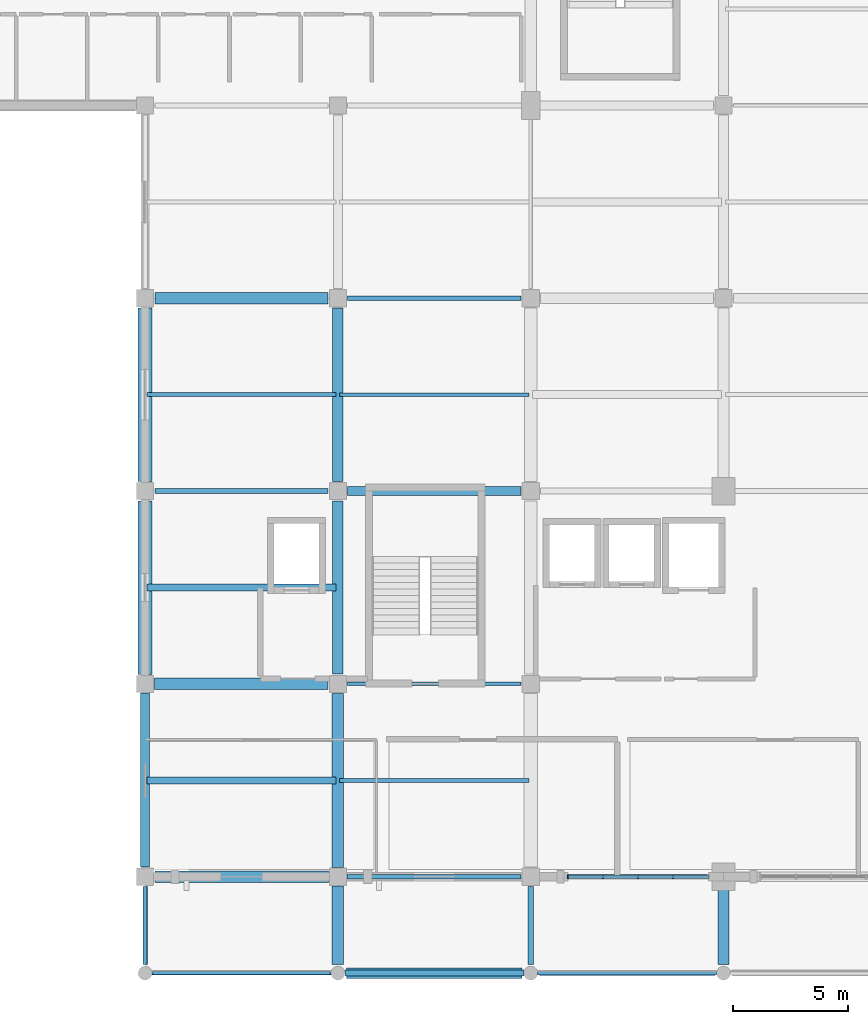
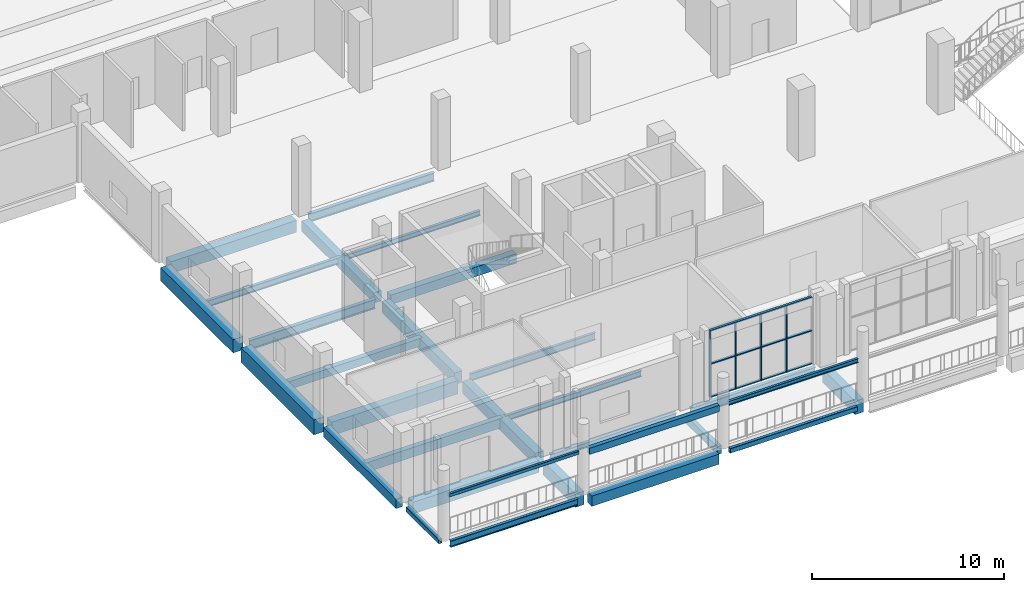
# One storey, part 15 of 75: 30 beams, 7 members, 1 element without a shape of its own.
"""IFC4 building model written with IfcOpenShell, lengths in metres."""

import ifcopenshell
import ifcopenshell.guid

model = None  # the IFC model being written
_history = None  # IfcOwnerHistory: only IFC2X3 demands one
_inside = {}  # id of a spatial element -> (the spatial element, [elements in it])
_under = {}  # id of a project, library or spatial element -> (it, [spatial elements below it])
_declared = {}  # id of a project -> (the project, [libraries it declares])
_typed = {}  # id of a type object -> (the type object, [elements of that type])
_made_of = {}  # id of a material, layer set ... -> (it, [elements and type objects made of it])


def new_model(schema):
    """Start an empty IFC model of exactly this schema.

    Asked for "IFC4X3", IfcOpenShell would pick the latest addendum, in which some entities
    have other attributes; the version numbers below select the first issue.
    IFC2X3 requires an IfcOwnerHistory on every rooted entity: one is made here for all.
    """
    global model, _history
    if schema == "IFC4X3":
        model = ifcopenshell.file(schema_version=(4, 3, 0, 0))
    else:
        model = ifcopenshell.file(schema=schema)
    _inside.clear()
    _under.clear()
    _declared.clear()
    _typed.clear()
    _made_of.clear()
    _history = None
    if model.schema == "IFC2X3":
        org = make("IfcOrganization", Name="unknown")
        user = make(
            "IfcPersonAndOrganization",
            ThePerson=make("IfcPerson", FamilyName="unknown"),
            TheOrganization=org,
        )
        app = make(
            "IfcApplication",
            ApplicationDeveloper=org,
            Version="unknown",
            ApplicationFullName="unknown",
            ApplicationIdentifier="unknown",
        )
        _history = make(
            "IfcOwnerHistory",
            OwningUser=user,
            OwningApplication=app,
            ChangeAction="ADDED",
            CreationDate=0,
        )
    return model


def make(cls, **values):
    """One entity of the class cls with the attributes given. An attribute that is None is left unset."""
    return model.create_entity(
        cls, **{name: value for name, value in values.items() if value is not None}
    )


def rooted(cls, **values):
    """An entity with a GlobalId (a new one), such as an element, a storey or a relation."""
    return make(cls, GlobalId=ifcopenshell.guid.new(), OwnerHistory=_history, **values)


def si_unit(unit_type, name, prefix=None):
    """IfcSIUnit, for example si_unit("LENGTHUNIT", "METRE", prefix="MILLI")."""
    return make("IfcSIUnit", UnitType=unit_type, Prefix=prefix, Name=name)


def derived_unit(unit_type, elements):
    """IfcDerivedUnit: a product of units, each with its exponent."""
    return make(
        "IfcDerivedUnit",
        Elements=[
            make("IfcDerivedUnitElement", Unit=unit, Exponent=power)
            for unit, power in elements
        ],
        UnitType=unit_type,
    )


def assignment(units):
    """IfcUnitAssignment: the units of a project."""
    return None if units is None else make("IfcUnitAssignment", Units=units)


def point(xyz):
    """IfcCartesianPoint."""
    return None if xyz is None else make("IfcCartesianPoint", Coordinates=xyz)


def direction(xyz):
    """IfcDirection."""
    return None if xyz is None else make("IfcDirection", DirectionRatios=xyz)


def frame(location, z_axis=None, x_axis=None):
    """IfcAxis2Placement3D, a coordinate frame: its origin and axes. An axis left out is left unset."""
    return make(
        "IfcAxis2Placement3D",
        Location=point(location),
        Axis=direction(z_axis),
        RefDirection=direction(x_axis),
    )


def frame_2d(location, x_axis=None):
    """IfcAxis2Placement2D, a coordinate frame in the plane: its origin and x axis."""
    return make(
        "IfcAxis2Placement2D", Location=point(location), RefDirection=direction(x_axis)
    )


def origin():
    """The frame at (0, 0, 0) with its axes left unset."""
    return frame((0.0, 0.0, 0.0))


def origin_2d():
    """The frame at (0, 0) in the plane with its x axis left unset."""
    return frame_2d((0.0, 0.0))


def place(relative_to, where):
    """IfcLocalPlacement: puts the frame where relative to a parent placement (None: the world)."""
    return make(
        "IfcLocalPlacement", PlacementRelTo=relative_to, RelativePlacement=where
    )


def context(
    kind, dimensions, precision=None, world=None, true_north=None, identifier=None
):
    """IfcGeometricRepresentationContext, for example the 3D "Model" context."""
    return make(
        "IfcGeometricRepresentationContext",
        ContextIdentifier=identifier,
        ContextType=kind,
        CoordinateSpaceDimension=dimensions,
        Precision=precision,
        WorldCoordinateSystem=world,
        TrueNorth=true_north,
    )


def subcontext(parent, identifier, kind, view, scale=None):
    """IfcGeometricRepresentationSubContext, for example "Body" below "Model"."""
    return make(
        "IfcGeometricRepresentationSubContext",
        ContextIdentifier=identifier,
        ContextType=kind,
        ParentContext=parent,
        TargetScale=scale,
        TargetView=view,
    )


def project(units=None, contexts=None):
    """IfcProject with its units and contexts."""
    return rooted(
        "IfcProject",
        Name="project",
        RepresentationContexts=contexts,
        UnitsInContext=assignment(units),
    )


def spatial(cls, under=None, at=None, **own):
    """A site, building, storey or space (cls), placed at a placement, below another one or the project."""
    s = rooted(cls, ObjectPlacement=at, **own)
    if under is not None:
        _under.setdefault(under.id(), (under, []))[1].append(s)
    return s


def profile(cls, at=None, kind="AREA", **sizes):
    """A parametric profile (cls). Its sizes go by their IFC names, for example OverallWidth=200.0."""
    return make(cls, ProfileType=kind, Position=at, **sizes)


def rectangle(**sizes):
    """IfcRectangleProfileDef."""
    return profile("IfcRectangleProfileDef", **sizes)


def hollow_rectangle(**sizes):
    """IfcRectangleHollowProfileDef."""
    return profile("IfcRectangleHollowProfileDef", **sizes)


def i_section(**sizes):
    """IfcIShapeProfileDef."""
    return profile("IfcIShapeProfileDef", **sizes)


def extrude(swept, where, along, depth):
    """IfcExtrudedAreaSolid: the profile swept, set in the frame where, extruded along a direction by depth."""
    return make(
        "IfcExtrudedAreaSolid",
        SweptArea=swept,
        Position=where,
        ExtrudedDirection=direction(along),
        Depth=depth,
    )


def shape(context_of_items, identifier, shape_type, items):
    """IfcShapeRepresentation: the items that make up one representation, for example the "Body"."""
    return make(
        "IfcShapeRepresentation",
        ContextOfItems=context_of_items,
        RepresentationIdentifier=identifier,
        RepresentationType=shape_type,
        Items=items,
    )


def material(Name=None, Category=None):
    """IfcMaterial."""
    return make("IfcMaterial", Name=Name, Category=Category)


def material_profile(
    of_material, cross_section, Name=None, Category=None, Priority=None
):
    """IfcMaterialProfile: a cross section and its material."""
    return make(
        "IfcMaterialProfile",
        Name=Name,
        Material=of_material,
        Profile=cross_section,
        Priority=Priority,
        Category=Category,
    )


def profile_set(profiles, Name=None, composite=None):
    """IfcMaterialProfileSet."""
    return make(
        "IfcMaterialProfileSet",
        Name=Name,
        MaterialProfiles=profiles,
        CompositeProfile=composite,
    )


def made_of(thing, what):
    """Note that an element or type object is made of a material, layer set ...; save() writes the relation."""
    if what is not None:
        _made_of.setdefault(what.id(), (what, []))[1].append(thing)
    return thing


def type_object(cls, material=None, **own):
    """A type object (cls), such as IfcWallType, which elements share."""
    return made_of(rooted(cls, **own), material)


def element(
    cls,
    number,
    at=None,
    inside=None,
    cuts=None,
    type_object=None,
    material=None,
    context=None,
    identifier="Body",
    shape_type=None,
    held_by="IfcProductDefinitionShape",
    body=None,
    shapes=None,
    **own,
):
    """One element of the class cls, such as IfcWall. Its Tag is "e" and its number.

    at: its placement. inside: the storey or other place that contains it. cuts: it is an
    opening in that element (IfcRelVoidsElement). A single representation is given by context,
    identifier, shape_type and body (its items); several are given by shapes. held_by: the class
    of the entity that holds the representations. save() writes the other relations.
    """
    e = rooted(cls, Tag="e%d" % number, ObjectPlacement=at, **own)
    if body is not None:
        shapes = [shape(context, identifier, shape_type, body)]
    if shapes is not None:
        e.Representation = make(held_by, Representations=shapes)
    if inside is not None:
        _inside.setdefault(inside.id(), (inside, []))[1].append(e)
    if cuts is not None:
        rooted(
            "IfcRelVoidsElement", RelatingBuildingElement=cuts, RelatedOpeningElement=e
        )
    if type_object is not None:
        _typed.setdefault(type_object.id(), (type_object, []))[1].append(e)
    return made_of(e, material)


def aggregate(whole, parts):
    """IfcRelAggregates: a whole, such as a stair, and the parts it consists of."""
    return rooted("IfcRelAggregates", RelatingObject=whole, RelatedObjects=parts)


def save(model, path):
    """Write the relations noted so far, then the file.

    IfcRelAggregates (storeys below a building ...), IfcRelContainedInSpatialStructure (elements
    in a storey), IfcRelDefinesByType, IfcRelAssociatesMaterial and IfcRelDeclares: one each for
    every whole, place, type object, material and project.
    """
    for whole, parts in _under.values():
        aggregate(whole, parts)
    for where, things in _inside.values():
        rooted(
            "IfcRelContainedInSpatialStructure",
            RelatedElements=things,
            RelatingStructure=where,
        )
    for kind, things in _typed.values():
        rooted("IfcRelDefinesByType", RelatedObjects=things, RelatingType=kind)
    for what, things in _made_of.values():
        rooted("IfcRelAssociatesMaterial", RelatedObjects=things, RelatingMaterial=what)
    for by, libraries in _declared.values():
        rooted("IfcRelDeclares", RelatingContext=by, RelatedDefinitions=libraries)
    model.write(path)


model = new_model("IFC4")

# Units and contexts
model_context = context("Model", 3, precision=1e-05, world=origin(), true_north=direction((0.0, 1.0)))
body_context = subcontext(model_context, "Body", "Model", "MODEL_VIEW")
ifc_project = project(units=[si_unit("LENGTHUNIT", "METRE"), si_unit("AREAUNIT", "SQUARE_METRE"), si_unit("VOLUMEUNIT", "CUBIC_METRE"), si_unit("PLANEANGLEUNIT", "RADIAN"), si_unit("MASSUNIT", "GRAM", prefix="KILO"), derived_unit("THERMALTRANSMITTANCEUNIT", [(si_unit("POWERUNIT", "WATT"), 1), (si_unit("LENGTHUNIT", "METRE"), -2), (si_unit("THERMODYNAMICTEMPERATUREUNIT", "KELVIN"), -1)])], contexts=[model_context])

# Site, building, storey
site_placement = place(None, origin())
site = spatial("IfcSite", under=ifc_project, at=site_placement, CompositionType="ELEMENT")
building_placement = place(site_placement, origin())
building = spatial("IfcBuilding", under=site, at=building_placement, Name="Barrovel Congress Hotel", CompositionType="ELEMENT")
storey_placement = place(building_placement, frame((0.0, 0.0, 5.39990234375)))
storey = spatial("IfcBuildingStorey", under=building, at=storey_placement, Name="L01", CompositionType="ELEMENT", Elevation=5.39990234375)

# Beams
ifc_material_1 = material(Name="Concrete C40", Category="concrete")
ifc_material_profile_1 = material_profile(ifc_material_1, rectangle(XDim=0.25, YDim=0.39990234375, at=origin_2d()), Name="RC250x400")
ifc_profile_set_1 = profile_set([ifc_material_profile_1], Name="Concrete C40")
beam_type_1 = type_object("IfcBeamType", Name="BM-RC250x400", PredefinedType="LINTEL", material=ifc_profile_set_1)
beam_1_placement = place(storey_placement, frame((25.5, 0.0, 2.550048828125), z_axis=(1.0, 0.0, 0.0), x_axis=(0.0, 1.0, 0.0)))
element("IfcBeam", 1, at=beam_1_placement, inside=storey, type_object=beam_type_1, Name="LIN:L01:25.2-33.6", PredefinedType="LINTEL", context=body_context, shape_type="SweptSolid", body=[
    extrude(rectangle(XDim=0.25, YDim=0.39990234375, at=origin_2d()), origin(), (0.0, 0.0, 1.0), 7.800048828125),
])
ifc_material_profile_2 = material_profile(ifc_material_1, rectangle(XDim=0.25, YDim=0.5, at=origin_2d()), Name="RC250x500")
ifc_profile_set_2 = profile_set([ifc_material_profile_2], Name="Concrete C40")
beam_type_2 = type_object("IfcBeamType", Name="BM-RC250x500", PredefinedType="SPANDREL", material=ifc_profile_set_2)
beam_2_placement = place(storey_placement, frame((33.60009765625, 0.375, -0.510009765625), z_axis=(0.0, 1.0, 0.0), x_axis=(-1.0, 0.0, 0.0)))
element("IfcBeam", 2, at=beam_2_placement, inside=storey, type_object=beam_type_2, Name="BMY:L01:33.6:0.0-4.2", PredefinedType="SPANDREL", context=body_context, shape_type="SweptSolid", body=[
    extrude(rectangle(XDim=0.25, YDim=0.5, at=origin_2d()), origin(), (0.0, 0.0, 1.0), 3.39990234375),
])
ifc_material_profile_3 = material_profile(ifc_material_1, rectangle(XDim=0.300048828125, YDim=0.5, at=origin_2d()), Name="RC300x500")
ifc_profile_set_3 = profile_set([ifc_material_profile_3], Name="Concrete C40")
beam_type_3 = type_object("IfcBeamType", Name="BM-RC300x500", PredefinedType="JOIST", material=ifc_profile_set_3)
beam_3_placement = place(storey_placement, frame((16.8798828125, 16.800048828125, -0.510009765625), z_axis=(1.0, 0.0, 0.0), x_axis=(0.0, 1.0, 0.0)))
element("IfcBeam", 3, at=beam_3_placement, inside=storey, type_object=beam_type_3, Name="JST:L01:16.8:16.8", PredefinedType="JOIST", context=body_context, shape_type="SweptSolid", body=[
    extrude(rectangle(XDim=0.300048828125, YDim=0.5, at=origin_2d()), origin(), (0.0, 0.0, 1.0), 8.240234375),
])
ifc_material_profile_4 = material_profile(ifc_material_1, rectangle(XDim=0.300048828125, YDim=0.60009765625, at=origin_2d()), Name="RC300x600")
ifc_profile_set_4 = profile_set([ifc_material_profile_4], Name="Concrete C40")
beam_type_4 = type_object("IfcBeamType", Name="BM-RC300x600", PredefinedType="JOIST", material=ifc_profile_set_4)
beam_4_placement = place(storey_placement, frame((16.8798828125, 8.39990234375, -0.559814453125), z_axis=(1.0, 0.0, 0.0), x_axis=(0.0, 1.0, 0.0)))
element("IfcBeam", 4, at=beam_4_placement, inside=storey, type_object=beam_type_4, Name="JST:L01:16.8:8.4", PredefinedType="JOIST", context=body_context, shape_type="SweptSolid", body=[
    extrude(rectangle(XDim=0.300048828125, YDim=0.60009765625, at=origin_2d()), origin(), (0.0, 0.0, 1.0), 8.240234375),
])
ifc_material_profile_5 = material_profile(ifc_material_1, rectangle(XDim=0.39990234375, YDim=0.60009765625, at=origin_2d()), Name="RC400x600")
ifc_profile_set_5 = profile_set([ifc_material_profile_5], Name="Concrete C40")
beam_type_5 = type_object("IfcBeamType", Name="BM-RC400x600", PredefinedType="BEAM", material=ifc_profile_set_5)
beam_5_placement = place(storey_placement, frame((25.625, 21.0, -0.559814453125), z_axis=(1.0, 0.0, 0.0), x_axis=(0.0, 1.0, 0.0)))
element("IfcBeam", 5, at=beam_5_placement, inside=storey, type_object=beam_type_5, Name="BMX:L01:21.0:25.2-33.6", PredefinedType="BEAM", context=body_context, shape_type="SweptSolid", body=[
    extrude(rectangle(XDim=0.39990234375, YDim=0.60009765625, at=origin_2d()), origin(), (0.0, 0.0, 1.0), 7.550048828125),
])
beam_6_placement = place(storey_placement, frame((16.800048828125, 4.625, -0.559814453125), z_axis=(0.0, 1.0, 0.0), x_axis=(-1.0, 0.0, 0.0)))
element("IfcBeam", 6, at=beam_6_placement, inside=storey, type_object=beam_type_5, Name="BMY:L01:16.8:4.2-12.6", PredefinedType="BEAM", context=body_context, shape_type="SweptSolid", body=[
    extrude(rectangle(XDim=0.39990234375, YDim=0.60009765625, at=origin_2d()), origin(), (0.0, 0.0, 1.0), 7.574951171875),
])
ifc_material_profile_6 = material_profile(ifc_material_1, rectangle(XDim=0.449951171875, YDim=0.64990234375, at=origin_2d()), Name="RC450x650")
ifc_profile_set_6 = profile_set([ifc_material_profile_6], Name="Concrete C40")
beam_type_6 = type_object("IfcBeamType", Name="BM-RC450x650", PredefinedType="BEAM", material=ifc_profile_set_6)
beam_7_placement = place(storey_placement, frame((25.574951171875, 0.0, -0.5849609375), z_axis=(1.0, 0.0, 0.0), x_axis=(0.0, 1.0, 0.0)))
element("IfcBeam", 7, at=beam_7_placement, inside=storey, type_object=beam_type_6, Name="BMX:L01:0.0:25.2-33.6", PredefinedType="BEAM", context=body_context, shape_type="SweptSolid", body=[
    extrude(rectangle(XDim=0.449951171875, YDim=0.64990234375, at=origin_2d()), origin(), (0.0, 0.0, 1.0), 7.650146484375),
])
beam_8_placement = place(storey_placement, frame((25.199951171875, 21.425048828125, -0.5849609375), z_axis=(0.0, 1.0, 0.0), x_axis=(-1.0, 0.0, 0.0)))
element("IfcBeam", 8, at=beam_8_placement, inside=storey, type_object=beam_type_6, Name="BMY:L01:25.2:21.0-29.4", PredefinedType="BEAM", context=body_context, shape_type="SweptSolid", body=[
    extrude(rectangle(XDim=0.449951171875, YDim=0.64990234375, at=origin_2d()), origin(), (0.0, 0.0, 1.0), 7.550048828125),
])
ifc_material_profile_7 = material_profile(ifc_material_1, rectangle(XDim=0.449951171875, YDim=0.75, at=origin_2d()), Name="RC450x750")
ifc_profile_set_7 = profile_set([ifc_material_profile_7], Name="Concrete C40")
beam_type_7 = type_object("IfcBeamType", Name="BM-RC450x750", PredefinedType="BEAM", material=ifc_profile_set_7)
beam_9_placement = place(storey_placement, frame((25.199951171875, 13.02490234375, -0.635009765625), z_axis=(0.0, 1.0, 0.0), x_axis=(-1.0, 0.0, 0.0)))
element("IfcBeam", 9, at=beam_9_placement, inside=storey, type_object=beam_type_7, Name="BMY:L01:25.2:12.6-21.0", PredefinedType="BEAM", context=body_context, shape_type="SweptSolid", body=[
    extrude(rectangle(XDim=0.449951171875, YDim=0.75, at=origin_2d()), origin(), (0.0, 0.0, 1.0), 7.550048828125),
])
ifc_material_profile_8 = material_profile(ifc_material_1, rectangle(XDim=0.5, YDim=0.75, at=origin_2d()), Name="RC500x750")
ifc_profile_set_8 = profile_set([ifc_material_profile_8], Name="Concrete C40")
beam_type_8 = type_object("IfcBeamType", Name="BM-RC500x750", PredefinedType="BEAM", material=ifc_profile_set_8)
beam_10_placement = place(storey_placement, frame((17.22509765625, 4.199951171875, -0.635009765625), z_axis=(1.0, 0.0, 0.0), x_axis=(0.0, 1.0, 0.0)))
element("IfcBeam", 10, at=beam_10_placement, inside=storey, type_object=beam_type_8, Name="BMX:L01:4.2:16.8-25.2", PredefinedType="BEAM", context=body_context, shape_type="SweptSolid", body=[
    extrude(rectangle(XDim=0.5, YDim=0.75, at=origin_2d()), origin(), (0.0, 0.0, 1.0), 7.574951171875),
])
beam_11_placement = place(storey_placement, frame((17.22509765625, 29.39990234375, -0.635009765625), z_axis=(1.0, 0.0, 0.0), x_axis=(0.0, 1.0, 0.0)))
element("IfcBeam", 11, at=beam_11_placement, inside=storey, type_object=beam_type_8, Name="BMX:L01:29.4:16.8-25.2", PredefinedType="BEAM", context=body_context, shape_type="SweptSolid", body=[
    extrude(rectangle(XDim=0.5, YDim=0.75, at=origin_2d()), origin(), (0.0, 0.0, 1.0), 7.5498046875),
])
beam_12_placement = place(storey_placement, frame((25.199951171875, 4.60009765625, -0.635009765625), z_axis=(0.0, 1.0, 0.0), x_axis=(-1.0, 0.0, 0.0)))
element("IfcBeam", 12, at=beam_12_placement, inside=storey, type_object=beam_type_8, Name="BMY:L01:25.2:4.2-12.6", PredefinedType="BEAM", context=body_context, shape_type="SweptSolid", body=[
    extrude(rectangle(XDim=0.5, YDim=0.75, at=origin_2d()), origin(), (0.0, 0.0, 1.0), 7.574951171875),
])
ifc_material_profile_9 = material_profile(ifc_material_1, rectangle(XDim=0.5, YDim=0.85009765625, at=origin_2d()), Name="RC500x850")
ifc_profile_set_9 = profile_set([ifc_material_profile_9], Name="Concrete C40")
beam_type_9 = type_object("IfcBeamType", Name="BM-RC500x850", PredefinedType="BEAM", material=ifc_profile_set_9)
beam_13_placement = place(storey_placement, frame((17.199951171875, 12.60009765625, -0.684814453125), z_axis=(1.0, 0.0, 0.0), x_axis=(0.0, 1.0, 0.0)))
element("IfcBeam", 13, at=beam_13_placement, inside=storey, type_object=beam_type_9, Name="BMX:L01:12.6:16.8-25.2", PredefinedType="BEAM", context=body_context, shape_type="SweptSolid", body=[
    extrude(rectangle(XDim=0.5, YDim=0.85009765625, at=origin_2d()), origin(), (0.0, 0.0, 1.0), 7.574951171875),
])
beam_14_placement = place(storey_placement, frame((25.199951171875, 0.375, -0.684814453125), z_axis=(0.0, 1.0, 0.0), x_axis=(-1.0, 0.0, 0.0)))
element("IfcBeam", 14, at=beam_14_placement, inside=storey, type_object=beam_type_9, Name="BMY:L01:25.2:0.0-4.2", PredefinedType="BEAM", context=body_context, shape_type="SweptSolid", body=[
    extrude(rectangle(XDim=0.5, YDim=0.85009765625, at=origin_2d()), origin(), (0.0, 0.0, 1.0), 3.425048828125),
])
beam_15_placement = place(storey_placement, frame((42.0, 0.375, -0.684814453125), z_axis=(0.0, 1.0, 0.0), x_axis=(-1.0, 0.0, 0.0)))
element("IfcBeam", 15, at=beam_15_placement, inside=storey, type_object=beam_type_9, Name="BMY:L01:42.0:0.0-4.2", PredefinedType="BEAM", context=body_context, shape_type="SweptSolid", body=[
    extrude(rectangle(XDim=0.5, YDim=0.85009765625, at=origin_2d()), origin(), (0.0, 0.0, 1.0), 3.375),
])
ifc_material_profile_10 = material_profile(ifc_material_1, rectangle(XDim=0.60009765625, YDim=0.85009765625, at=origin_2d()), Name="RC600x850")
ifc_profile_set_10 = profile_set([ifc_material_profile_10], Name="Concrete C40")
beam_type_10 = type_object("IfcBeamType", Name="BM-RC600x850", PredefinedType="BEAM", material=ifc_profile_set_10)
beam_16_placement = place(storey_placement, frame((16.800048828125, 21.425048828125, -0.684814453125), z_axis=(0.0, 1.0, 0.0), x_axis=(-1.0, 0.0, 0.0)))
element("IfcBeam", 16, at=beam_16_placement, inside=storey, type_object=beam_type_10, Name="BMY:L01:16.8:21.0-29.4", PredefinedType="BEAM", context=body_context, shape_type="SweptSolid", body=[
    extrude(rectangle(XDim=0.60009765625, YDim=0.85009765625, at=origin_2d()), origin(), (0.0, 0.0, 1.0), 7.550048828125),
])
ifc_material_profile_11 = material_profile(ifc_material_1, rectangle(XDim=0.60009765625, YDim=0.949951171875, at=origin_2d()), Name="RC600x950")
ifc_profile_set_11 = profile_set([ifc_material_profile_11], Name="Concrete C40")
beam_type_11 = type_object("IfcBeamType", Name="BM-RC600x950", PredefinedType="BEAM", material=ifc_profile_set_11)
beam_17_placement = place(storey_placement, frame((16.800048828125, 13.0, -0.73486328125), z_axis=(0.0, 1.0, 0.0), x_axis=(-1.0, 0.0, 0.0)))
element("IfcBeam", 17, at=beam_17_placement, inside=storey, type_object=beam_type_11, Name="BMY:L01:16.8:12.6-21.0", PredefinedType="BEAM", context=body_context, shape_type="SweptSolid", body=[
    extrude(rectangle(XDim=0.60009765625, YDim=0.949951171875, at=origin_2d()), origin(), (0.0, 0.0, 1.0), 7.574951171875),
])

# Curtain wall, members
ifc_material_2 = material(Name="Anodised Aluminium Alloy 6063-T6", Category="aluminium")
curtain_wall_type = type_object("IfcCurtainWallType", Name="CW-ST-7200x3900", PredefinedType="USERDEFINED", material=ifc_material_2)
curtain_wall_placement = place(storey_placement, origin())
curtain_wall = element("IfcCurtainWall", 18, at=curtain_wall_placement, inside=storey, type_object=curtain_wall_type, Name="CW:L01:S:04", ObjectType="STICK CURTAIN WALL", PredefinedType="USERDEFINED")
ifc_material_profile_12 = material_profile(ifc_material_2, rectangle(XDim=0.06494140625, YDim=0.18994140625, at=origin_2d()), Name="AL-M65x190")
ifc_profile_set_12 = profile_set([ifc_material_profile_12], Name="Anodised Aluminium Alloy 6063-T6")
member_type_1 = type_object("IfcMemberType", Name="CWM-AL-M65x190", PredefinedType="MULLION", material=ifc_profile_set_12)
member_1_placement = place(storey_placement, frame((35.219970703125, 4.199951171875, 0.0), z_axis=(0.0, 0.0, 1.0), x_axis=(1.0, 0.0, 0.0)))
member_1 = element("IfcMember", 19, at=member_1_placement, type_object=member_type_1, Name="CW:L01:S:04:M0", PredefinedType="MULLION", context=body_context, shape_type="SweptSolid", body=[
    extrude(rectangle(XDim=0.06494140625, YDim=0.18994140625, at=origin_2d()), origin(), (0.0, 0.0, 1.0), 4.22021484375),
])
member_2_placement = place(storey_placement, frame((36.75, 4.199951171875, 0.0), z_axis=(0.0, 0.0, 1.0), x_axis=(1.0, 0.0, 0.0)))
member_2 = element("IfcMember", 20, at=member_2_placement, type_object=member_type_1, Name="CW:L01:S:04:M1", PredefinedType="MULLION", context=body_context, shape_type="SweptSolid", body=[
    extrude(rectangle(XDim=0.06494140625, YDim=0.18994140625, at=origin_2d()), origin(), (0.0, 0.0, 1.0), 4.22021484375),
])
member_3_placement = place(storey_placement, frame((38.280029296875, 4.199951171875, 0.0), z_axis=(0.0, 0.0, 1.0), x_axis=(1.0, 0.0, 0.0)))
member_3 = element("IfcMember", 21, at=member_3_placement, type_object=member_type_1, Name="CW:L01:S:04:M2", PredefinedType="MULLION", context=body_context, shape_type="SweptSolid", body=[
    extrude(rectangle(XDim=0.06494140625, YDim=0.18994140625, at=origin_2d()), origin(), (0.0, 0.0, 1.0), 4.22021484375),
])
member_4_placement = place(storey_placement, frame((39.81005859375, 4.199951171875, 0.0), z_axis=(0.0, 0.0, 1.0), x_axis=(1.0, 0.0, 0.0)))
member_4 = element("IfcMember", 22, at=member_4_placement, type_object=member_type_1, Name="CW:L01:S:04:M3", PredefinedType="MULLION", context=body_context, shape_type="SweptSolid", body=[
    extrude(rectangle(XDim=0.06494140625, YDim=0.18994140625, at=origin_2d()), origin(), (0.0, 0.0, 1.0), 4.22021484375),
])
ifc_material_profile_13 = material_profile(ifc_material_2, rectangle(XDim=0.14990234375, YDim=0.06494140625, at=origin_2d()), Name="AL-T65x150")
ifc_profile_set_13 = profile_set([ifc_material_profile_13], Name="Anodised Aluminium Alloy 6063-T6")
member_type_2 = type_object("IfcMemberType", Name="CWT-AL-T65x150", PredefinedType="USERDEFINED", material=ifc_profile_set_13)
member_5_placement = place(storey_placement, frame((35.219970703125, 4.199951171875, 0.0), z_axis=(1.0, 0.0, 0.0), x_axis=(0.0, 1.0, 0.0)))
member_5 = element("IfcMember", 23, at=member_5_placement, type_object=member_type_2, Name="CW:L01:S:04:T0", ObjectType="TRANSOM", PredefinedType="USERDEFINED", context=body_context, shape_type="SweptSolid", body=[
    extrude(rectangle(XDim=0.14990234375, YDim=0.06494140625, at=origin_2d()), origin(), (0.0, 0.0, 1.0), 6.1201171875),
])
member_6_placement = place(storey_placement, frame((35.219970703125, 4.199951171875, 2.110107421875), z_axis=(1.0, 0.0, 0.0), x_axis=(0.0, 1.0, 0.0)))
member_6 = element("IfcMember", 24, at=member_6_placement, type_object=member_type_2, Name="CW:L01:S:04:T1", ObjectType="TRANSOM", PredefinedType="USERDEFINED", context=body_context, shape_type="SweptSolid", body=[
    extrude(rectangle(XDim=0.14990234375, YDim=0.06494140625, at=origin_2d()), origin(), (0.0, 0.0, 1.0), 6.1201171875),
])
member_7_placement = place(storey_placement, frame((35.219970703125, 4.199951171875, 4.22021484375), z_axis=(1.0, 0.0, 0.0), x_axis=(0.0, 1.0, 0.0)))
member_7 = element("IfcMember", 25, at=member_7_placement, type_object=member_type_2, Name="CW:L01:S:04:T2", ObjectType="TRANSOM", PredefinedType="USERDEFINED", context=body_context, shape_type="SweptSolid", body=[
    extrude(rectangle(XDim=0.14990234375, YDim=0.06494140625, at=origin_2d()), origin(), (0.0, 0.0, 1.0), 6.1201171875),
])
aggregate(curtain_wall, [member_1, member_2, member_3, member_4, member_5, member_6, member_7])

# Beams
ifc_material_3 = material(Name="Steel ASTM A500 Grade C", Category="steel")
ifc_material_profile_14 = material_profile(ifc_material_3, hollow_rectangle(XDim=0.15234375, YDim=0.203125, WallThickness=0.0087890625, InnerFilletRadius=0.0087890625, OuterFilletRadius=0.017578125, at=origin_2d()), Name="HSS203x152x9.5")
ifc_profile_set_14 = profile_set([ifc_material_profile_14], Name="Steel ASTM A500 Grade C")
beam_type_12 = type_object("IfcBeamType", Name="SBM-HSS203x152x9.5", PredefinedType="LINTEL", material=ifc_profile_set_14)
beam_18_placement = place(storey_placement, frame((17.10009765625, 0.0, 2.6484375), z_axis=(1.0, 0.0, 0.0), x_axis=(0.0, 1.0, 0.0)))
element("IfcBeam", 26, at=beam_18_placement, inside=storey, type_object=beam_type_12, Name="LIN:L01:16.8-25.2", PredefinedType="LINTEL", context=body_context, shape_type="SweptSolid", body=[
    extrude(hollow_rectangle(XDim=0.15234375, YDim=0.203125, WallThickness=0.0087890625, InnerFilletRadius=0.0087890625, OuterFilletRadius=0.017578125, at=origin_2d()), origin(), (0.0, 0.0, 1.0), 7.7998046875),
])
ifc_material_profile_15 = material_profile(ifc_material_3, hollow_rectangle(XDim=0.203125, YDim=0.3046875, WallThickness=0.01171875, InnerFilletRadius=0.01171875, OuterFilletRadius=0.023681640625, at=origin_2d()), Name="HSS305x203x12.7")
ifc_profile_set_15 = profile_set([ifc_material_profile_15], Name="Steel ASTM A500 Grade C")
beam_type_13 = type_object("IfcBeamType", Name="SBM-HSS305x203x12.7", PredefinedType="SPANDREL", material=ifc_profile_set_15)
beam_19_placement = place(storey_placement, frame((33.97509765625, 0.0, -0.412353515625), z_axis=(1.0, 0.0, 0.0), x_axis=(0.0, 1.0, 0.0)))
element("IfcBeam", 27, at=beam_19_placement, inside=storey, type_object=beam_type_13, Name="BMX:L01:0.0:33.6-42.0", PredefinedType="SPANDREL", context=body_context, shape_type="SweptSolid", body=[
    extrude(hollow_rectangle(XDim=0.203125, YDim=0.3046875, WallThickness=0.01171875, InnerFilletRadius=0.01171875, OuterFilletRadius=0.023681640625, at=origin_2d()), origin(), (0.0, 0.0, 1.0), 7.64990234375),
])
beam_20_placement = place(storey_placement, frame((16.800048828125, 0.375, -0.412353515625), z_axis=(0.0, 1.0, 0.0), x_axis=(-1.0, 0.0, 0.0)))
element("IfcBeam", 28, at=beam_20_placement, inside=storey, type_object=beam_type_13, Name="BMY:L01:16.8:0.0-4.2", PredefinedType="SPANDREL", context=body_context, shape_type="SweptSolid", body=[
    extrude(hollow_rectangle(XDim=0.203125, YDim=0.3046875, WallThickness=0.01171875, InnerFilletRadius=0.01171875, OuterFilletRadius=0.023681640625, at=origin_2d()), origin(), (0.0, 0.0, 1.0), 3.39990234375),
])
ifc_material_4 = material(Name="Steel ASTM A992 Grade 50", Category="steel")
ifc_material_profile_16 = material_profile(ifc_material_4, i_section(OverallWidth=0.14599609375, OverallDepth=0.258056640625, WebThickness=0.006103515625, FlangeThickness=0.009033203125, FilletRadius=0.010009765625, at=origin_2d()), Name="W250x33")
ifc_profile_set_16 = profile_set([ifc_material_profile_16], Name="Steel ASTM A992 Grade 50")
beam_type_14 = type_object("IfcBeamType", Name="SBM-W250x33", PredefinedType="LINTEL", material=ifc_profile_set_16)
beam_21_placement = place(storey_placement, frame((33.89990234375, 0.0, 2.62109375), z_axis=(1.0, 0.0, 0.0), x_axis=(0.0, 1.0, 0.0)))
element("IfcBeam", 29, at=beam_21_placement, inside=storey, type_object=beam_type_14, Name="LIN:L01:33.6-42.0", PredefinedType="LINTEL", context=body_context, shape_type="SweptSolid", body=[
    extrude(i_section(OverallWidth=0.14599609375, OverallDepth=0.258056640625, WebThickness=0.006103515625, FlangeThickness=0.009033203125, FilletRadius=0.010009765625, at=origin_2d()), origin(), (0.0, 0.0, 1.0), 7.800048828125),
])
ifc_material_profile_17 = material_profile(ifc_material_4, i_section(OverallWidth=0.1669921875, OverallDepth=0.31689453125, WebThickness=0.007568359375, FlangeThickness=0.01318359375, FilletRadius=0.010986328125, at=origin_2d()), Name="W310x52")
ifc_profile_set_17 = profile_set([ifc_material_profile_17], Name="Steel ASTM A992 Grade 50")
beam_type_15 = type_object("IfcBeamType", Name="SBM-W310x52", PredefinedType="JOIST", material=ifc_profile_set_17)
beam_22_placement = place(storey_placement, frame((25.280029296875, 25.199951171875, -0.41845703125), z_axis=(1.0, 0.0, 0.0), x_axis=(0.0, 1.0, 0.0)))
element("IfcBeam", 30, at=beam_22_placement, inside=storey, type_object=beam_type_15, Name="JST:L01:25.2:25.2", PredefinedType="JOIST", context=body_context, shape_type="SweptSolid", body=[
    extrude(i_section(OverallWidth=0.1669921875, OverallDepth=0.31689453125, WebThickness=0.007568359375, FlangeThickness=0.01318359375, FilletRadius=0.010986328125, at=origin_2d()), origin(), (0.0, 0.0, 1.0), 8.239990234375),
])
ifc_material_profile_18 = material_profile(ifc_material_4, i_section(OverallWidth=0.205078125, OverallDepth=0.31005859375, WebThickness=0.009521484375, FlangeThickness=0.016357421875, FilletRadius=0.012939453125, at=origin_2d()), Name="W310x74")
ifc_profile_set_18 = profile_set([ifc_material_profile_18], Name="Steel ASTM A992 Grade 50")
beam_type_16 = type_object("IfcBeamType", Name="SBM-W310x74", PredefinedType="SPANDREL", material=ifc_profile_set_18)
beam_23_placement = place(storey_placement, frame((25.60009765625, 4.199951171875, -0.414794921875), z_axis=(1.0, 0.0, 0.0), x_axis=(0.0, 1.0, 0.0)))
element("IfcBeam", 31, at=beam_23_placement, inside=storey, type_object=beam_type_16, Name="BMX:L01:4.2:25.2-33.6", PredefinedType="SPANDREL", context=body_context, shape_type="SweptSolid", body=[
    extrude(i_section(OverallWidth=0.205078125, OverallDepth=0.31005859375, WebThickness=0.009521484375, FlangeThickness=0.016357421875, FilletRadius=0.012939453125, at=origin_2d()), origin(), (0.0, 0.0, 1.0), 7.574951171875),
])
ifc_material_profile_19 = material_profile(ifc_material_4, i_section(OverallWidth=0.1708984375, OverallDepth=0.35205078125, WebThickness=0.0068359375, FlangeThickness=0.009765625, FilletRadius=0.011962890625, at=origin_2d()), Name="W360x44")
ifc_profile_set_19 = profile_set([ifc_material_profile_19], Name="Steel ASTM A992 Grade 50")
beam_type_17 = type_object("IfcBeamType", Name="SBM-W360x44", PredefinedType="JOIST", material=ifc_profile_set_19)
beam_24_placement = place(storey_placement, frame((25.280029296875, 8.39990234375, -0.435791015625), z_axis=(1.0, 0.0, 0.0), x_axis=(0.0, 1.0, 0.0)))
element("IfcBeam", 32, at=beam_24_placement, inside=storey, type_object=beam_type_17, Name="JST:L01:25.2:8.4", PredefinedType="JOIST", context=body_context, shape_type="SweptSolid", body=[
    extrude(i_section(OverallWidth=0.1708984375, OverallDepth=0.35205078125, WebThickness=0.0068359375, FlangeThickness=0.009765625, FilletRadius=0.011962890625, at=origin_2d()), origin(), (0.0, 0.0, 1.0), 8.239990234375),
])
ifc_material_profile_20 = material_profile(ifc_material_4, i_section(OverallWidth=0.177001953125, OverallDepth=0.403076171875, WebThickness=0.007568359375, FlangeThickness=0.010986328125, FilletRadius=0.011962890625, at=origin_2d()), Name="W410x53")
ifc_profile_set_20 = profile_set([ifc_material_profile_20], Name="Steel ASTM A992 Grade 50")
beam_type_18 = type_object("IfcBeamType", Name="SBM-W410x53", PredefinedType="JOIST", material=ifc_profile_set_20)
beam_25_placement = place(storey_placement, frame((16.8798828125, 25.199951171875, -0.46142578125), z_axis=(1.0, 0.0, 0.0), x_axis=(0.0, 1.0, 0.0)))
element("IfcBeam", 33, at=beam_25_placement, inside=storey, type_object=beam_type_18, Name="JST:L01:16.8:25.2", PredefinedType="JOIST", context=body_context, shape_type="SweptSolid", body=[
    extrude(i_section(OverallWidth=0.177001953125, OverallDepth=0.403076171875, WebThickness=0.007568359375, FlangeThickness=0.010986328125, FilletRadius=0.011962890625, at=origin_2d()), origin(), (0.0, 0.0, 1.0), 8.240234375),
])
ifc_material_profile_21 = material_profile(ifc_material_4, i_section(OverallWidth=0.178955078125, OverallDepth=0.409912109375, WebThickness=0.0087890625, FlangeThickness=0.014404296875, FilletRadius=0.011962890625, at=origin_2d()), Name="W410x67")
ifc_profile_set_21 = profile_set([ifc_material_profile_21], Name="Steel ASTM A992 Grade 50")
beam_type_19 = type_object("IfcBeamType", Name="SBM-W410x67", PredefinedType="BEAM", material=ifc_profile_set_21)
beam_26_placement = place(storey_placement, frame((17.175048828125, 0.0, -0.46484375), z_axis=(1.0, 0.0, 0.0), x_axis=(0.0, 1.0, 0.0)))
element("IfcBeam", 34, at=beam_26_placement, inside=storey, type_object=beam_type_19, Name="BMX:L01:0.0:16.8-25.2", PredefinedType="BEAM", context=body_context, shape_type="SweptSolid", body=[
    extrude(i_section(OverallWidth=0.178955078125, OverallDepth=0.409912109375, WebThickness=0.0087890625, FlangeThickness=0.014404296875, FilletRadius=0.011962890625, at=origin_2d()), origin(), (0.0, 0.0, 1.0), 7.64990234375),
])
ifc_material_profile_22 = material_profile(ifc_material_4, i_section(OverallWidth=0.154052734375, OverallDepth=0.458984375, WebThickness=0.009033203125, FlangeThickness=0.015380859375, FilletRadius=0.012939453125, at=origin_2d()), Name="W460x68")
ifc_profile_set_22 = profile_set([ifc_material_profile_22], Name="Steel ASTM A992 Grade 50")
beam_type_20 = type_object("IfcBeamType", Name="SBM-W460x68", PredefinedType="BEAM", material=ifc_profile_set_22)
beam_27_placement = place(storey_placement, frame((25.625, 12.60009765625, -0.489501953125), z_axis=(1.0, 0.0, 0.0), x_axis=(0.0, 1.0, 0.0)))
element("IfcBeam", 35, at=beam_27_placement, inside=storey, type_object=beam_type_20, Name="BMX:L01:12.6:25.2-33.6", PredefinedType="BEAM", context=body_context, shape_type="SweptSolid", body=[
    extrude(i_section(OverallWidth=0.154052734375, OverallDepth=0.458984375, WebThickness=0.009033203125, FlangeThickness=0.015380859375, FilletRadius=0.012939453125, at=origin_2d()), origin(), (0.0, 0.0, 1.0), 7.550048828125),
])
ifc_material_profile_23 = material_profile(ifc_material_4, i_section(OverallWidth=0.208984375, OverallDepth=0.529052734375, WebThickness=0.009765625, FlangeThickness=0.013671875, FilletRadius=0.013916015625, at=origin_2d()), Name="W530x74")
ifc_profile_set_23 = profile_set([ifc_material_profile_23], Name="Steel ASTM A992 Grade 50")
beam_type_21 = type_object("IfcBeamType", Name="SBM-W530x74", PredefinedType="BEAM", material=ifc_profile_set_23)
beam_28_placement = place(storey_placement, frame((34.02490234375, 4.199951171875, -0.5244140625), z_axis=(1.0, 0.0, 0.0), x_axis=(0.0, 1.0, 0.0)))
element("IfcBeam", 36, at=beam_28_placement, inside=storey, type_object=beam_type_21, Name="BMX:L01:4.2:33.6-42.0", PredefinedType="BEAM", context=body_context, shape_type="SweptSolid", body=[
    extrude(i_section(OverallWidth=0.208984375, OverallDepth=0.529052734375, WebThickness=0.009765625, FlangeThickness=0.013671875, FilletRadius=0.013916015625, at=origin_2d()), origin(), (0.0, 0.0, 1.0), 7.525146484375),
])
ifc_material_profile_24 = material_profile(ifc_material_4, i_section(OverallWidth=0.208984375, OverallDepth=0.532958984375, WebThickness=0.01025390625, FlangeThickness=0.015625, FilletRadius=0.013916015625, at=origin_2d()), Name="W530x92")
ifc_profile_set_24 = profile_set([ifc_material_profile_24], Name="Steel ASTM A992 Grade 50")
beam_type_22 = type_object("IfcBeamType", Name="SBM-W530x92", PredefinedType="BEAM", material=ifc_profile_set_24)
beam_29_placement = place(storey_placement, frame((25.625, 29.39990234375, -0.5263671875), z_axis=(1.0, 0.0, 0.0), x_axis=(0.0, 1.0, 0.0)))
element("IfcBeam", 37, at=beam_29_placement, inside=storey, type_object=beam_type_22, Name="BMX:L01:29.4:25.2-33.6", PredefinedType="BEAM", context=body_context, shape_type="SweptSolid", body=[
    extrude(i_section(OverallWidth=0.208984375, OverallDepth=0.532958984375, WebThickness=0.01025390625, FlangeThickness=0.015625, FilletRadius=0.013916015625, at=origin_2d()), origin(), (0.0, 0.0, 1.0), 7.550048828125),
])
ifc_material_profile_25 = material_profile(ifc_material_4, i_section(OverallWidth=0.22802734375, OverallDepth=0.60302734375, WebThickness=0.010498046875, FlangeThickness=0.014892578125, FilletRadius=0.014892578125, at=origin_2d()), Name="W610x101")
ifc_profile_set_25 = profile_set([ifc_material_profile_25], Name="Steel ASTM A992 Grade 50")
beam_type_23 = type_object("IfcBeamType", Name="SBM-W610x101", PredefinedType="BEAM", material=ifc_profile_set_25)
beam_30_placement = place(storey_placement, frame((17.22509765625, 21.0, -0.5615234375), z_axis=(1.0, 0.0, 0.0), x_axis=(0.0, 1.0, 0.0)))
element("IfcBeam", 38, at=beam_30_placement, inside=storey, type_object=beam_type_23, Name="BMX:L01:21.0:16.8-25.2", PredefinedType="BEAM", context=body_context, shape_type="SweptSolid", body=[
    extrude(i_section(OverallWidth=0.22802734375, OverallDepth=0.60302734375, WebThickness=0.010498046875, FlangeThickness=0.014892578125, FilletRadius=0.014892578125, at=origin_2d()), origin(), (0.0, 0.0, 1.0), 7.5498046875),
])

save(model, "model.ifc")
